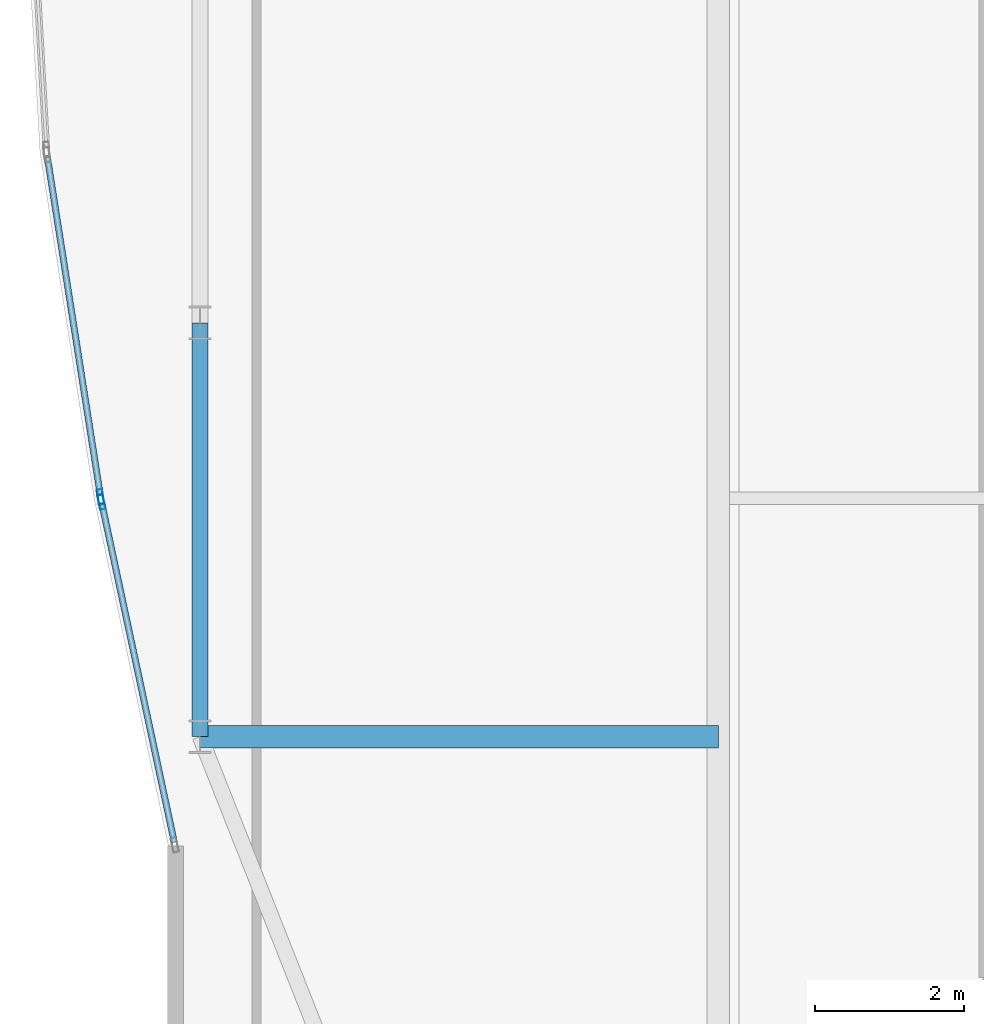
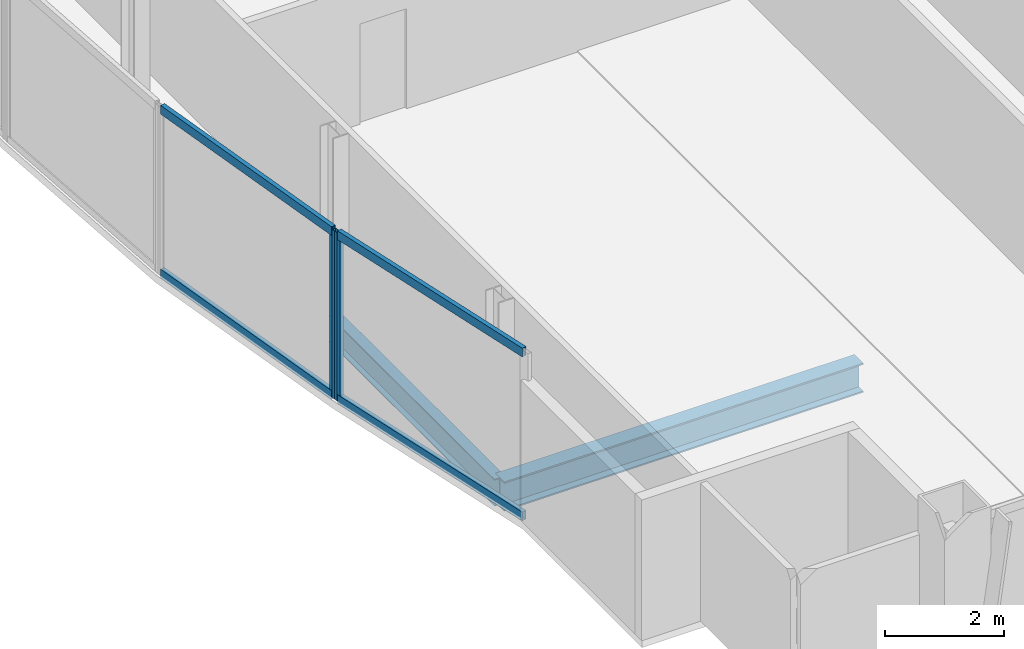
# One storey, part 5 of 29: 6 members, 2 beams, 2 elements without a shape of their own.
"""IFC4 building model written with IfcOpenShell, lengths in metres."""

from ifc_helpers import new_model, si_unit, direction, frame, origin, origin_2d, place, context, subcontext, project, spatial, hollow_rectangle, i_section, extrude, material, material_profile, profile_set, type_object, element, aggregate, save


model = new_model("IFC4")

# Units and contexts
model_context = context("Model", 3, precision=1e-05, world=origin(), true_north=direction((0.0, 1.0)))
body_context = subcontext(model_context, "Body", "Model", "MODEL_VIEW")
ifc_project = project(units=[si_unit("LENGTHUNIT", "METRE"), si_unit("AREAUNIT", "SQUARE_METRE"), si_unit("VOLUMEUNIT", "CUBIC_METRE"), si_unit("PLANEANGLEUNIT", "RADIAN"), si_unit("MASSUNIT", "GRAM", prefix="KILO")], contexts=[model_context])

# Site, building, storey
site_placement = place(None, origin())
site = spatial("IfcSite", under=ifc_project, at=site_placement, CompositionType="ELEMENT")
building_placement = place(site_placement, origin())
building = spatial("IfcBuilding", under=site, at=building_placement, Name="Khoronbel Lancet Exchange", CompositionType="ELEMENT")
storey_placement = place(building_placement, frame((0.0, 0.0, 329.0)))
storey = spatial("IfcBuildingStorey", under=building, at=storey_placement, Name="L85", CompositionType="ELEMENT", Elevation=329.0)

# Beams
ifc_material_1 = material(Name="Steel S355", Category="steel")
ifc_material_profile_1 = material_profile(ifc_material_1, i_section(OverallWidth=0.300048828125, OverallDepth=0.60009765625, WebThickness=0.015380859375, FlangeThickness=0.030029296875, at=origin_2d()), Name="HEB 600")
ifc_profile_set_1 = profile_set([ifc_material_profile_1], Name="Steel S355")
beam_type_1 = type_object("IfcBeamType", Name="BM-BG5", PredefinedType="BEAM", material=ifc_profile_set_1)
beam_1_placement = place(storey_placement, frame((11.27001953125, 19.199951171875, -0.4599609375), z_axis=(1.0, 0.0, 0.0), x_axis=(0.0, 1.0, 0.0)))
element("IfcBeam", 1, at=beam_1_placement, inside=storey, type_object=beam_type_1, Name="Level L85 west lens tie girder LG1W", PredefinedType="BEAM", context=body_context, shape_type="SweptSolid", body=[
    extrude(i_section(OverallWidth=0.300048828125, OverallDepth=0.60009765625, WebThickness=0.015380859375, FlangeThickness=0.030029296875, at=origin_2d()), origin(), (0.0, 0.0, 1.0), 6.955078125),
])
ifc_material_profile_2 = material_profile(ifc_material_1, i_section(OverallWidth=0.2099609375, OverallDepth=0.550048828125, WebThickness=0.010986328125, FlangeThickness=0.01708984375, at=origin_2d()), Name="IPE 550")
ifc_profile_set_2 = profile_set([ifc_material_profile_2], Name="Steel S355")
beam_type_2 = type_object("IfcBeamType", Name="BM-BSP3", PredefinedType="SPANDREL", material=ifc_profile_set_2)
beam_2_placement = place(storey_placement, frame((11.27001953125, 24.75, -0.43505859375), z_axis=(0.0, -1.0, 0.0), x_axis=(1.0, 0.0, 0.0)))
element("IfcBeam", 2, at=beam_2_placement, inside=storey, type_object=beam_type_2, Name="Level L85 perimeter spandrel beam SP18", PredefinedType="SPANDREL", context=body_context, shape_type="SweptSolid", body=[
    extrude(i_section(OverallWidth=0.2099609375, OverallDepth=0.550048828125, WebThickness=0.010986328125, FlangeThickness=0.01708984375, at=origin_2d()), origin(), (0.0, 0.0, 1.0), 5.550048828125),
])

# Curtain wall, member
ifc_material_2 = material(Name="Low-E Solar Control Insulating Glass", Category="glass")
curtain_wall_type = type_object("IfcCurtainWallType", Name="CW-4", PredefinedType="NOTDEFINED", material=ifc_material_2)
curtain_wall_1_placement = place(storey_placement, origin())
curtain_wall_1 = element("IfcCurtainWall", 3, at=curtain_wall_1_placement, inside=storey, type_object=curtain_wall_type, Name="Unitised curtain wall CW-L85-E04", PredefinedType="NOTDEFINED")
ifc_material_3 = material(Name="Bronze-Anodised Aluminium 6063-T6", Category="aluminium")
ifc_material_profile_3 = material_profile(ifc_material_3, hollow_rectangle(XDim=0.074951171875, YDim=0.199951171875, WallThickness=0.0048828125, at=origin_2d()), Name="ALU MULLION 75x200")
ifc_profile_set_3 = profile_set([ifc_material_profile_3], Name="Bronze-Anodised Aluminium 6063-T6")
member_type_1 = type_object("IfcMemberType", Name="MEM-CWM2", PredefinedType="MULLION", material=ifc_profile_set_3)
member_1_placement = place(storey_placement, frame((9.948486328125, 22.346435546875, 0.0), z_axis=(0.0, 0.0, 1.0), x_axis=(-0.977891735749, -0.209111819739, 0.0)))
member_1 = element("IfcMember", 4, at=member_1_placement, type_object=member_type_1, Name="CW4 mullion 2", PredefinedType="MULLION", context=body_context, shape_type="SweptSolid", body=[
    extrude(hollow_rectangle(XDim=0.074951171875, YDim=0.199951171875, WallThickness=0.0048828125, at=origin_2d()), origin(), (0.0, 0.0, 1.0), 3.43994140625),
])

curtain_wall_2_placement = place(storey_placement, origin())
curtain_wall_2 = element("IfcCurtainWall", 5, at=curtain_wall_2_placement, inside=storey, type_object=curtain_wall_type, Name="Unitised curtain wall CW-L85-E05", PredefinedType="NOTDEFINED")
member_2_placement = place(storey_placement, frame((9.934814453125, 22.420166015625, 0.0), z_axis=(0.0, 0.0, 1.0), x_axis=(-0.987966514912, -0.154667919789, 0.0)))
member_2 = element("IfcMember", 6, at=member_2_placement, type_object=member_type_1, Name="CW4 mullion 1", PredefinedType="MULLION", context=body_context, shape_type="SweptSolid", body=[
    extrude(hollow_rectangle(XDim=0.074951171875, YDim=0.199951171875, WallThickness=0.0048828125, at=origin_2d()), origin(), (0.0, 0.0, 1.0), 3.43994140625),
])

# Member
ifc_material_profile_4 = material_profile(ifc_material_3, hollow_rectangle(XDim=0.0849609375, YDim=0.179931640625, WallThickness=0.0048828125, at=origin_2d()), Name="ALU TRANSOM 85x180")
ifc_profile_set_4 = profile_set([ifc_material_profile_4], Name="Bronze-Anodised Aluminium 6063-T6")
member_type_2 = type_object("IfcMemberType", Name="MEM-CWT1", PredefinedType="USERDEFINED", material=ifc_profile_set_4)
member_3_placement = place(storey_placement, frame((10.92431640625, 17.782958984375, 0.04248046875), z_axis=(-0.209111271548, 0.977891852973, 0.0), x_axis=(-0.977891852973, -0.209111271548, 0.0)))
member_3 = element("IfcMember", 7, at=member_3_placement, type_object=member_type_2, Name="CW4 transom 1.1", ObjectType="TRANSOM", PredefinedType="USERDEFINED", context=body_context, shape_type="SweptSolid", body=[
    extrude(hollow_rectangle(XDim=0.0849609375, YDim=0.179931640625, WallThickness=0.0048828125, at=origin_2d()), origin(), (0.0, 0.0, 1.0), 4.629150390625),
])

member_4_placement = place(storey_placement, frame((10.92431640625, 17.782958984375, 3.3974609375), z_axis=(-0.209111271548, 0.977891852973, 0.0), x_axis=(-0.977891852973, -0.209111271548, 0.0)))
member_4 = element("IfcMember", 8, at=member_4_placement, type_object=member_type_2, Name="CW4 transom 1.2", ObjectType="TRANSOM", PredefinedType="USERDEFINED", context=body_context, shape_type="SweptSolid", body=[
    extrude(hollow_rectangle(XDim=0.0849609375, YDim=0.179931640625, WallThickness=0.0048828125, at=origin_2d()), origin(), (0.0, 0.0, 1.0), 4.629150390625),
])

aggregate(curtain_wall_1, [member_1, member_3, member_4])

member_5_placement = place(storey_placement, frame((9.928955078125, 22.457275390625, 0.04248046875), z_axis=(-0.154672073509, 0.987965864631, 0.0), x_axis=(-0.987965864631, -0.154672073509, 0.0)))
member_5 = element("IfcMember", 9, at=member_5_placement, type_object=member_type_2, Name="CW4 transom 1.1", ObjectType="TRANSOM", PredefinedType="USERDEFINED", context=body_context, shape_type="SweptSolid", body=[
    extrude(hollow_rectangle(XDim=0.0849609375, YDim=0.179931640625, WallThickness=0.0048828125, at=origin_2d()), origin(), (0.0, 0.0, 1.0), 4.56640625),
])

member_6_placement = place(storey_placement, frame((9.928955078125, 22.457275390625, 3.3974609375), z_axis=(-0.154672073509, 0.987965864631, 0.0), x_axis=(-0.987965864631, -0.154672073509, 0.0)))
member_6 = element("IfcMember", 10, at=member_6_placement, type_object=member_type_2, Name="CW4 transom 1.2", ObjectType="TRANSOM", PredefinedType="USERDEFINED", context=body_context, shape_type="SweptSolid", body=[
    extrude(hollow_rectangle(XDim=0.0849609375, YDim=0.179931640625, WallThickness=0.0048828125, at=origin_2d()), origin(), (0.0, 0.0, 1.0), 4.56640625),
])

aggregate(curtain_wall_2, [member_2, member_5, member_6])

save(model, "model.ifc")
